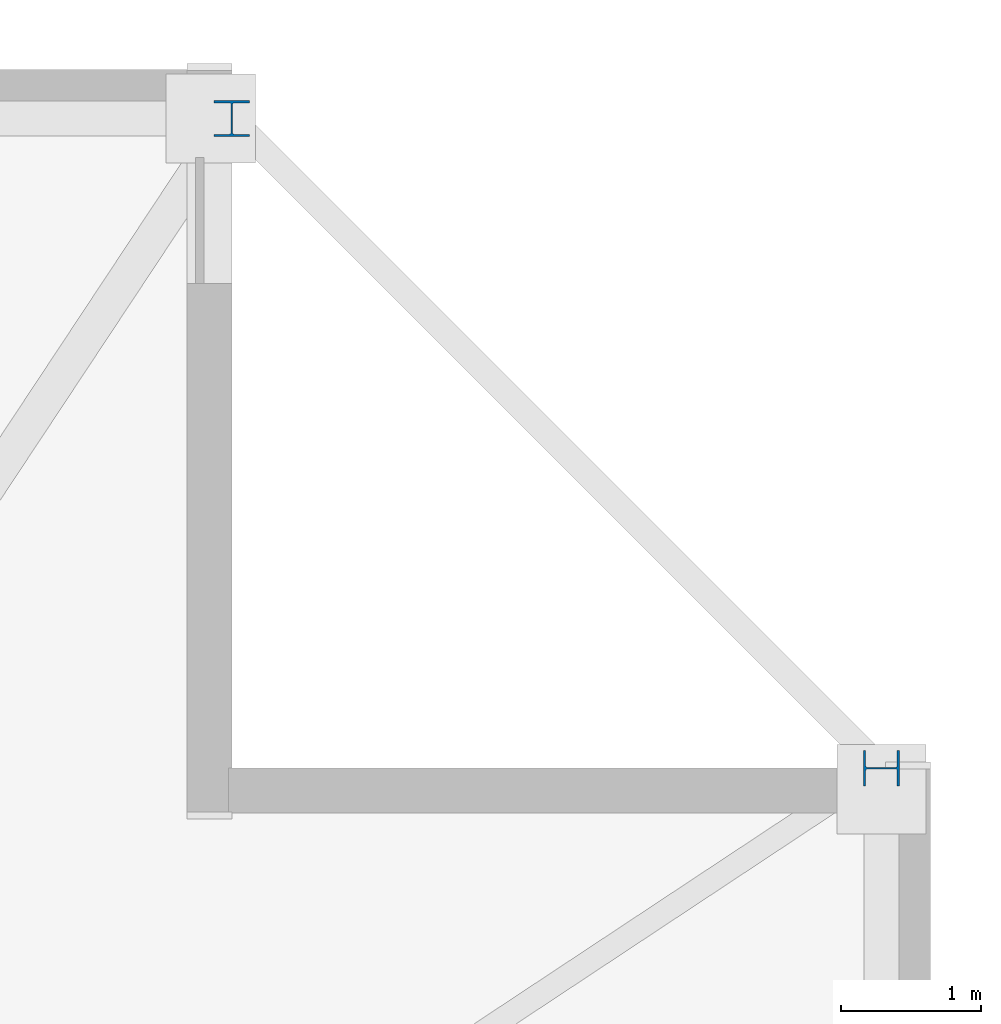
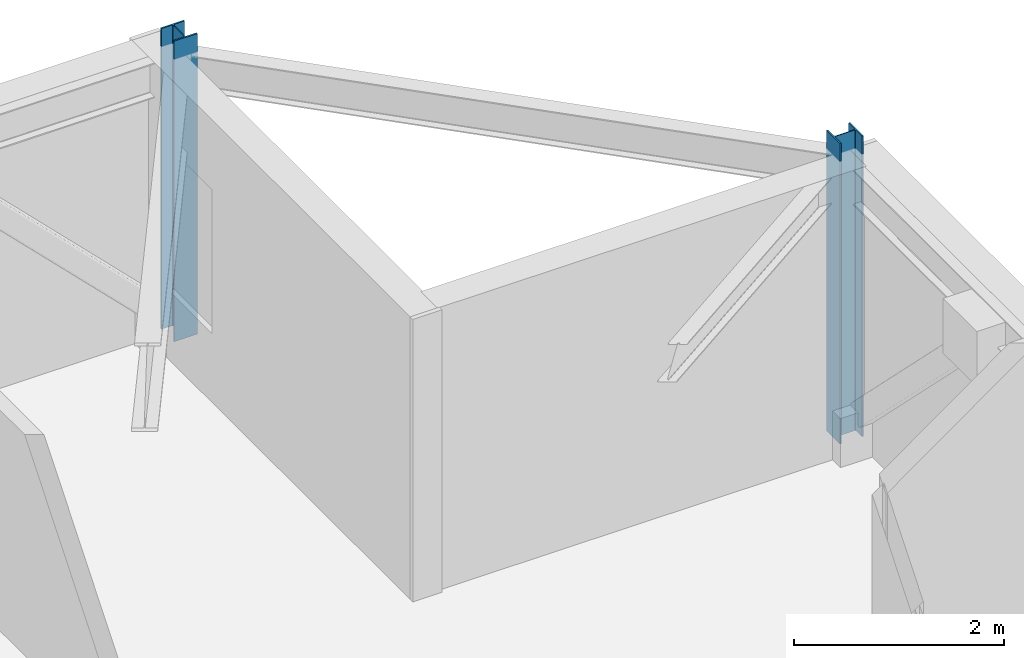
# One storey, part 5 of 17: 2 columns.
"""IFC4 building model written with IfcOpenShell, lengths in metres."""

from ifc_helpers import new_model, si_unit, direction, frame, origin, origin_2d, place, context, subcontext, project, spatial, i_section, extrude, material, material_profile, profile_set, type_object, element, save


model = new_model("IFC4")

# Units and contexts
model_context = context("Model", 3, precision=1e-05, world=origin(), true_north=direction((0.0, 1.0)))
body_context = subcontext(model_context, "Body", "Model", "MODEL_VIEW")
ifc_project = project(units=[si_unit("LENGTHUNIT", "METRE"), si_unit("AREAUNIT", "SQUARE_METRE"), si_unit("VOLUMEUNIT", "CUBIC_METRE"), si_unit("PLANEANGLEUNIT", "RADIAN"), si_unit("MASSUNIT", "GRAM", prefix="KILO")], contexts=[model_context])

# Site, building, storey
site_placement = place(None, origin())
site = spatial("IfcSite", under=ifc_project, at=site_placement, CompositionType="ELEMENT")
building_placement = place(site_placement, origin())
building = spatial("IfcBuilding", under=site, at=building_placement, Name="Cairnveth Concourse Tower", CompositionType="ELEMENT")
storey_placement = place(building_placement, frame((0.0, 0.0, 234.0)))
storey = spatial("IfcBuildingStorey", under=building, at=storey_placement, Name="L64", CompositionType="ELEMENT", Elevation=234.0)

# Columns
ifc_material = material(Name="Steel Grade 350", Category="steel")
ifc_material_profile = material_profile(ifc_material, i_section(OverallWidth=0.256103515625, OverallDepth=0.260009765625, WebThickness=0.010498046875, FlangeThickness=0.017333984375, FilletRadius=0.012939453125, at=origin_2d()), Name="250UC89.5")
ifc_profile_set = profile_set([ifc_material_profile], Name="Steel Grade 350")
column_type = type_object("IfcColumnType", Name="UNIVERSAL STEEL COLUMN 250UC89.5", PredefinedType="COLUMN", material=ifc_profile_set)
for number, where, z_axis, x_axis, name in (
    (1, (74.14990234375, 56.5, 0.0), (0.0, 0.0, 1.0), (0.0, 1.0, 0.0), "Column P-E4 L64"),
    (2, (69.5, 61.14990234375, 0.0), (0.0, 0.0, 1.0), (1.0, 0.0, 0.0), "Column P-N1 L64"),
):
    element("IfcColumn", number, at=place(storey_placement, frame(where, z_axis=z_axis, x_axis=x_axis)), inside=storey, type_object=column_type, Name=name, PredefinedType="COLUMN", context=body_context, shape_type="SweptSolid", body=[
        extrude(i_section(OverallWidth=0.256103515625, OverallDepth=0.260009765625, WebThickness=0.010498046875, FlangeThickness=0.017333984375, FilletRadius=0.012939453125, at=origin_2d()), origin(), (0.0, 0.0, 1.0), 3.5),
    ])

save(model, "model.ifc")
